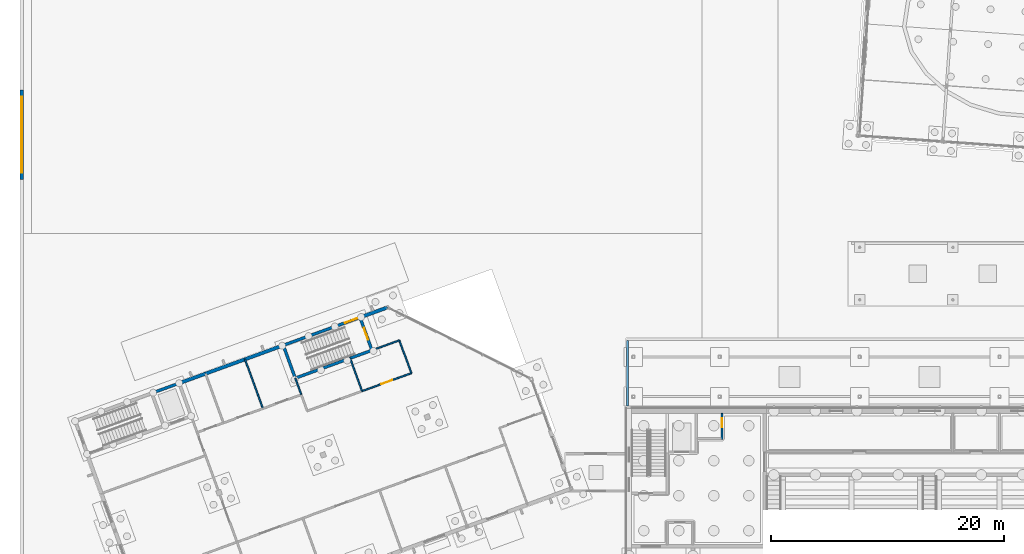
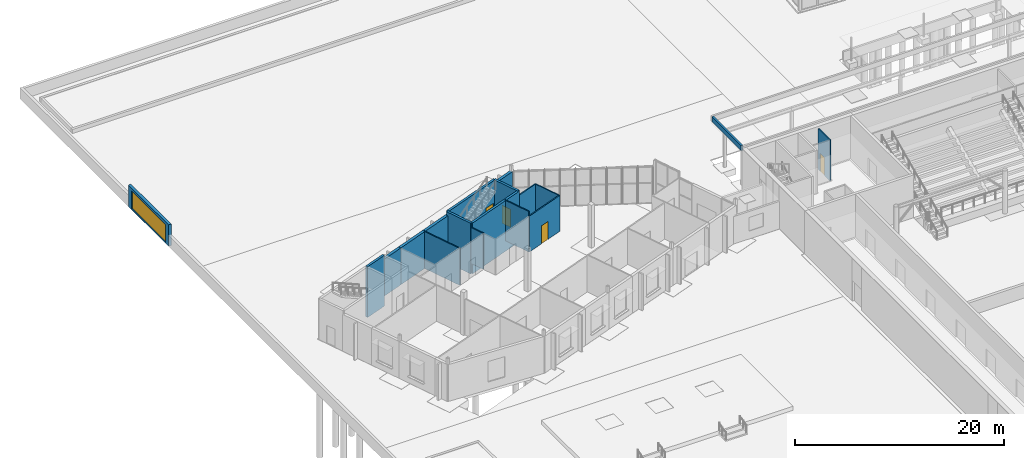
# One storey, part 94 of 157: 18 walls, 5 doors, 5 openings.
"""IFC4 building model written with IfcOpenShell, lengths in metres."""

from ifc_helpers import new_model, si_unit, direction, frame, frame_2d, origin, place, context, subcontext, project, spatial, rectangle, extrude, material, layer, layer_set, type_object, element, fill, save


model = new_model("IFC4")

# Units and contexts
model_context = context("Model", 3, precision=1e-05, world=origin(), true_north=direction((0.0, 1.0)))
body_context = subcontext(model_context, "Body", "Model", "MODEL_VIEW")
ifc_project = project(units=[si_unit("LENGTHUNIT", "METRE"), si_unit("AREAUNIT", "SQUARE_METRE"), si_unit("VOLUMEUNIT", "CUBIC_METRE"), si_unit("PLANEANGLEUNIT", "RADIAN"), si_unit("MASSUNIT", "GRAM", prefix="KILO")], contexts=[model_context])

# Site, building, storey
site_placement = place(None, origin())
site = spatial("IfcSite", under=ifc_project, at=site_placement, CompositionType="ELEMENT")
building_placement = place(site_placement, origin())
building = spatial("IfcBuilding", under=site, at=building_placement, Name="Windward Yard Aquatics Centre", CompositionType="ELEMENT")
storey_placement = place(building_placement, origin())
storey = spatial("IfcBuildingStorey", under=building, at=storey_placement, Name="L00", CompositionType="ELEMENT", Elevation=0.0)

# Walls
ifc_material_1 = material(Name="Concrete C35/45", Category="concrete")
ifc_layer_1 = layer(ifc_material_1, 0.199951171875)
ifc_layer_set_1 = layer_set([ifc_layer_1], Name="A arcade roof parapet 200")
wall_type_1 = type_object("IfcWallType", Name="A arcade roof parapet 200", PredefinedType="PARAPET", material=ifc_layer_set_1)
wall_1_placement = place(storey_placement, frame((52.10009765625, 96.199951171875, 4.60009765625), z_axis=(0.0, 0.0, 1.0), x_axis=(0.0, 1.0, 0.0)))
element("IfcWall", 1, at=wall_1_placement, inside=storey, type_object=wall_type_1, Name="A.W.PA.W", PredefinedType="PARAPET", context=body_context, shape_type="SweptSolid", body=[
    extrude(rectangle(XDim=5.60009765625, YDim=0.199951171875, at=frame_2d((2.800048828125, 0.0))), origin(), (0.0, 0.0, 1.0), 0.599853515625),
])
ifc_material_2 = material(Name="Concrete C40/50", Category="concrete")
ifc_layer_2 = layer(ifc_material_2, 0.25)
ifc_layer_set_2 = layer_set([ifc_layer_2], Name="F core wall 250 Concrete C40/50")
wall_type_2 = type_object("IfcWallType", Name="F core wall 250 Concrete C40/50", PredefinedType="SOLIDWALL", material=ifc_layer_set_2)
wall_2_placement = place(storey_placement, frame((23.60595703125, 98.577880859375, -1.199951171875), z_axis=(0.0, 0.0, 1.0), x_axis=(-0.342037080957, 0.939686455819, 0.0)))
element("IfcWall", 2, at=wall_2_placement, inside=storey, type_object=wall_type_2, Name="F.WL.L00.C05", PredefinedType="SOLIDWALL", context=body_context, shape_type="SweptSolid", body=[
    extrude(rectangle(XDim=3.0, YDim=0.25, at=frame_2d((1.5, 0.0))), origin(), (0.0, 0.0, 1.0), 5.919921875),
])
wall_3_placement = place(storey_placement, frame((23.60595703125, 98.577880859375, -1.199951171875), z_axis=(0.0, 0.0, 1.0), x_axis=(0.939693585395, 0.342017493073, 0.0)))
element("IfcWall", 3, at=wall_3_placement, inside=storey, type_object=wall_type_2, Name="F.WL.L00.C06", PredefinedType="SOLIDWALL", context=body_context, shape_type="SweptSolid", body=[
    extrude(rectangle(XDim=6.999755859375, YDim=0.25, at=frame_2d((3.5, 0.0))), origin(), (0.0, 0.0, 1.0), 5.919921875),
])

# Wall, opening, door
wall_4_placement = place(storey_placement, frame((30.18359375, 100.971923828125, -1.199951171875), z_axis=(0.0, 0.0, 1.0), x_axis=(-0.341965219194, 0.939712609717, 0.0)))
wall_4 = element("IfcWall", 4, at=wall_4_placement, inside=storey, type_object=wall_type_2, Name="F.WL.L00.C07", PredefinedType="SOLIDWALL", context=body_context, shape_type="SweptSolid", body=[
    extrude(rectangle(XDim=3.0, YDim=0.25, at=frame_2d((1.5, 0.0))), origin(), (0.0, 0.0, 1.0), 5.919921875),
])
opening_1_placement = place(wall_4_placement, frame((0.949951171875, 0.0, 1.199951171875)))
opening_1 = element("IfcOpeningElement", 5, at=opening_1_placement, cuts=wall_4, Name="Opening F0017", PredefinedType="OPENING", context=body_context, shape_type="SweptSolid", body=[
    extrude(rectangle(XDim=1.10009765625, YDim=2.10009765625, at=frame_2d((0.550048828125, 1.050048828125))), frame((0.0, 0.135009765625, 0.0), z_axis=(0.0, -1.0, 0.0), x_axis=(1.0, 0.0, 0.0)), (0.0, 0.0, 1.0), 0.27001953125),
])
ifc_material_3 = material(Name="Steel, painted", Category="steel")
door_type_1 = type_object("IfcDoorType", Name="F fire door 1100x2100 steel", OperationType="SINGLE_SWING_LEFT", PredefinedType="DOOR", material=ifc_material_3)
door_1_placement = place(opening_1_placement, origin())
door_1 = element("IfcDoor", 6, at=door_1_placement, inside=storey, type_object=door_type_1, Name="Stair S2 door F0017", OperationType="SINGLE_SWING_RIGHT", OverallHeight=2.10009765625, OverallWidth=1.10009765625, PredefinedType="DOOR", context=body_context, shape_type="SweptSolid", body=[
    extrude(rectangle(XDim=1.10009765625, YDim=2.10009765625, at=frame_2d((0.550048828125, 1.050048828125))), frame((0.0, 0.02490234375, 0.0), z_axis=(0.0, -1.0, 0.0), x_axis=(1.0, 0.0, 0.0)), (0.0, 0.0, 1.0), 0.050048828125),
])
fill(opening_1, door_1)

wall_5_placement = place(storey_placement, frame((29.15771484375, 103.791015625, -1.199951171875), z_axis=(0.0, 0.0, 1.0), x_axis=(-0.939697665127, -0.342006283793, 0.0)))
wall_5 = element("IfcWall", 7, at=wall_5_placement, inside=storey, type_object=wall_type_2, Name="F.WL.L00.X01", PredefinedType="SOLIDWALL", context=body_context, shape_type="SweptSolid", body=[
    extrude(rectangle(XDim=7.0, YDim=0.25, at=frame_2d((3.5, 0.0))), origin(), (0.0, 0.0, 1.0), 5.919921875),
])
opening_2_placement = place(wall_5_placement, frame((1.375, 0.0, 1.199951171875), z_axis=(0.0, 0.0, 1.0), x_axis=(-1.0, 0.0, 0.0)))
opening_2 = element("IfcOpeningElement", 8, at=opening_2_placement, cuts=wall_5, Name="Opening F0002", PredefinedType="OPENING", context=body_context, shape_type="SweptSolid", body=[
    extrude(rectangle(XDim=1.10009765625, YDim=2.10009765625, at=frame_2d((0.550048828125, 1.050048828125))), frame((0.0, 0.135009765625, 0.0), z_axis=(0.0, -1.0, 0.0), x_axis=(1.0, 0.0, 0.0)), (0.0, 0.0, 1.0), 0.27001953125),
])
door_2_placement = place(opening_2_placement, origin())
door_2 = element("IfcDoor", 9, at=door_2_placement, inside=storey, type_object=door_type_1, Name="Stair S2 exit door F0002", OperationType="SINGLE_SWING_RIGHT", OverallHeight=2.10009765625, OverallWidth=1.10009765625, PredefinedType="DOOR", context=body_context, shape_type="SweptSolid", body=[
    extrude(rectangle(XDim=1.10009765625, YDim=2.10009765625, at=frame_2d((0.550048828125, 1.050048828125))), frame((0.0, 0.02490234375, 0.0), z_axis=(0.0, -1.0, 0.0), x_axis=(1.0, 0.0, 0.0)), (0.0, 0.0, 1.0), 0.050048828125),
])
fill(opening_2, door_2)

# Walls
wall_6_placement = place(storey_placement, frame((13.652587890625, 98.147705078125, -1.199951171875), z_axis=(0.0, 0.0, 1.0), x_axis=(-0.939696437289, -0.342009657388, 0.0)))
element("IfcWall", 10, at=wall_6_placement, inside=storey, type_object=wall_type_2, Name="F.WL.L00.X02", PredefinedType="SOLIDWALL", context=body_context, shape_type="SweptSolid", body=[
    extrude(rectangle(XDim=2.499755859375, YDim=0.25, at=frame_2d((1.25, 0.0))), origin(), (0.0, 0.0, 1.0), 5.919921875),
])
ifc_material_4 = material(Name="Gypsum board on steel studs", Category="steel")
ifc_layer_3 = layer(ifc_material_4, 0.125)
ifc_layer_set_3 = layer_set([ifc_layer_3], Name="F partition 125 gypsum board")
wall_type_3 = type_object("IfcWallType", Name="F partition 125 gypsum board", PredefinedType="PARTITIONING", material=ifc_layer_set_3)
wall_7_placement = place(storey_placement, frame((20.830078125, 95.97119140625, 0.0), z_axis=(0.0, 0.0, 1.0), x_axis=(-0.34200440972, 0.939698347201, 0.0)))
element("IfcWall", 11, at=wall_7_placement, inside=storey, type_object=wall_type_3, Name="F.WL.L00.P014", PredefinedType="PARTITIONING", context=body_context, shape_type="SweptSolid", body=[
    extrude(rectangle(XDim=4.500244140625, YDim=0.125, at=frame_2d((2.25, 0.0))), origin(), (0.0, 0.0, 1.0), 4.302978515625),
])
wall_8_placement = place(storey_placement, frame((24.118896484375, 97.168212890625, 0.0), z_axis=(0.0, 0.0, 1.0), x_axis=(-0.341939069183, 0.9397221254, 0.0)))
element("IfcWall", 12, at=wall_8_placement, inside=storey, type_object=wall_type_3, Name="F.WL.L00.P018", PredefinedType="PARTITIONING", context=body_context, shape_type="SweptSolid", body=[
    extrude(rectangle(XDim=1.5, YDim=0.125, at=frame_2d((0.75, 0.0))), origin(), (0.0, 0.0, 1.0), 4.18701171875),
])
wall_9_placement = place(storey_placement, frame((29.330322265625, 97.468994140625, 0.0), z_axis=(0.0, 0.0, 1.0), x_axis=(-0.342063238742, 0.939676934218, 0.0)))
element("IfcWall", 13, at=wall_9_placement, inside=storey, type_object=wall_type_3, Name="F.WL.L00.P021", PredefinedType="PARTITIONING", context=body_context, shape_type="SweptSolid", body=[
    extrude(rectangle(XDim=2.999755859375, YDim=0.125, at=frame_2d((1.5, 0.0))), origin(), (0.0, 0.0, 1.0), 4.719970703125),
])

# Wall, opening, door
wall_10_placement = place(storey_placement, frame((29.330322265625, 97.468994140625, 0.0), z_axis=(0.0, 0.0, 1.0), x_axis=(0.939698347201, 0.34200440972, 0.0)))
wall_10 = element("IfcWall", 14, at=wall_10_placement, inside=storey, type_object=wall_type_3, Name="F.WL.L00.P022", PredefinedType="PARTITIONING", context=body_context, shape_type="SweptSolid", body=[
    extrude(rectangle(XDim=4.500244140625, YDim=0.125, at=frame_2d((2.25, 0.0))), origin(), (0.0, 0.0, 1.0), 4.18701171875),
])
opening_3_placement = place(wall_10_placement, frame((1.75, 0.0, 0.0)))
opening_3 = element("IfcOpeningElement", 15, at=opening_3_placement, cuts=wall_10, Name="Opening F0019", PredefinedType="OPENING", context=body_context, shape_type="SweptSolid", body=[
    extrude(rectangle(XDim=1.0, YDim=2.10009765625, at=frame_2d((0.5, 1.050048828125))), frame((0.0, 0.072509765625, 0.0), z_axis=(0.0, -1.0, 0.0), x_axis=(1.0, 0.0, 0.0)), (0.0, 0.0, 1.0), 0.14501953125),
])
ifc_material_5 = material(Name="Timber, painted", Category="wood")
door_type_2 = type_object("IfcDoorType", Name="F door 1000x2100 timber", OperationType="SINGLE_SWING_LEFT", PredefinedType="DOOR", material=ifc_material_5)
door_3_placement = place(opening_3_placement, origin())
door_3 = element("IfcDoor", 16, at=door_3_placement, inside=storey, type_object=door_type_2, Name="Visitor Information door F0019", OperationType="SINGLE_SWING_RIGHT", OverallHeight=2.10009765625, OverallWidth=1.0, PredefinedType="DOOR", context=body_context, shape_type="SweptSolid", body=[
    extrude(rectangle(XDim=1.0, YDim=2.10009765625, at=frame_2d((0.5, 1.050048828125))), frame((0.0, 0.02490234375, 0.0), z_axis=(0.0, -1.0, 0.0), x_axis=(1.0, 0.0, 0.0)), (0.0, 0.0, 1.0), 0.050048828125),
])
fill(opening_3, door_3)

# Walls
wall_11_placement = place(storey_placement, frame((30.18359375, 100.971923828125, 0.0), z_axis=(0.0, 0.0, 1.0), x_axis=(0.939707859211, 0.341978273195, 0.0)))
element("IfcWall", 17, at=wall_11_placement, inside=storey, type_object=wall_type_3, Name="F.WL.L00.P023", PredefinedType="PARTITIONING", context=body_context, shape_type="SweptSolid", body=[
    extrude(rectangle(XDim=2.5, YDim=0.125, at=frame_2d((1.25, 0.0))), origin(), (0.0, 0.0, 1.0), 4.18701171875),
])
wall_12_placement = place(storey_placement, frame((33.55908203125, 99.008056640625, 0.0), z_axis=(0.0, 0.0, 1.0), x_axis=(-0.342063238742, 0.939676934218, 0.0)))
element("IfcWall", 18, at=wall_12_placement, inside=storey, type_object=wall_type_3, Name="F.WL.L00.P024", PredefinedType="PARTITIONING", context=body_context, shape_type="SweptSolid", body=[
    extrude(rectangle(XDim=2.999755859375, YDim=0.125, at=frame_2d((1.5, 0.0))), origin(), (0.0, 0.0, 1.0), 4.18701171875),
])
ifc_material_6 = material(Name="Natural stone cladding", Category="masonry")
ifc_layer_4 = layer(ifc_material_6, 0.04, Name="Cladding")
ifc_material_7 = material(Name="Ventilated air cavity")
ifc_layer_5 = layer(ifc_material_7, 0.04, ventilated=True, Name="Ventilated cavity")
ifc_material_8 = material(Name="Mineral wool insulation")
ifc_layer_6 = layer(ifc_material_8, 0.06, Name="Insulation")
ifc_layer_7 = layer(ifc_material_2, 0.16, Name="Structure")
ifc_layer_set_4 = layer_set([ifc_layer_4, ifc_layer_5, ifc_layer_6, ifc_layer_7], Name="F stone-faced infill wall 300 Concrete C40/50")
wall_type_4 = type_object("IfcWallType", Name="F stone-faced infill wall 300 Concrete C40/50", PredefinedType="ELEMENTEDWALL", material=ifc_layer_set_4)
wall_13_placement = place(storey_placement, frame((31.5068359375, 104.64599609375, 0.0), z_axis=(0.0, 0.0, 1.0), x_axis=(-0.939696437289, -0.342009657388, 0.0)))
element("IfcWall", 19, at=wall_13_placement, inside=storey, type_object=wall_type_4, Name="F.WL.L00.E08", PredefinedType="ELEMENTEDWALL", context=body_context, shape_type="SweptSolid", body=[
    extrude(rectangle(XDim=2.499755859375, YDim=0.300048828125, at=frame_2d((1.25, 0.0))), origin(), (0.0, 0.0, 1.0), 4.302978515625),
])
wall_14_placement = place(storey_placement, frame((22.579833984375, 101.39697265625, 0.0), z_axis=(0.0, 0.0, 1.0), x_axis=(-0.939693585395, -0.342017493073, 0.0)))
element("IfcWall", 20, at=wall_14_placement, inside=storey, type_object=wall_type_4, Name="F.WL.L00.E09", PredefinedType="ELEMENTEDWALL", context=body_context, shape_type="SweptSolid", body=[
    extrude(rectangle(XDim=3.5, YDim=0.300048828125, at=frame_2d((1.75, 0.0))), origin(), (0.0, 0.0, 1.0), 4.302978515625),
])
wall_15_placement = place(storey_placement, frame((19.291015625, 100.199951171875, 0.0), z_axis=(0.0, 0.0, 1.0), x_axis=(-0.93968249756, -0.342047955379, 0.0)))
element("IfcWall", 21, at=wall_15_placement, inside=storey, type_object=wall_type_4, Name="F.WL.L00.E10", PredefinedType="ELEMENTEDWALL", context=body_context, shape_type="SweptSolid", body=[
    extrude(rectangle(XDim=3.60009765625, YDim=0.300048828125, at=frame_2d((1.800048828125, 0.0))), origin(), (0.0, 0.0, 1.0), 4.302978515625),
])
wall_16_placement = place(storey_placement, frame((15.907958984375, 98.968505859375, 0.0), z_axis=(0.0, 0.0, 1.0), x_axis=(-0.939704292321, -0.341988074343, 0.0)))
element("IfcWall", 22, at=wall_16_placement, inside=storey, type_object=wall_type_4, Name="F.WL.L00.E11", PredefinedType="ELEMENTEDWALL", context=body_context, shape_type="SweptSolid", body=[
    extrude(rectangle(XDim=2.400146484375, YDim=0.300048828125, at=frame_2d((1.2001953125, 0.0))), origin(), (0.0, 0.0, 1.0), 4.302978515625),
])

# Wall, opening, door
ifc_material_9 = material(Name="Blockwork 150 mm", Category="masonry")
ifc_layer_8 = layer(ifc_material_9, 0.14990234375)
ifc_layer_set_5 = layer_set([ifc_layer_8], Name="H Partition Blockwork 150")
wall_type_5 = type_object("IfcWallType", Name="H Partition Blockwork 150", PredefinedType="PARTITIONING", material=ifc_layer_set_5)
wall_17_placement = place(storey_placement, frame((60.199951171875, 95.550048828125, 0.0), z_axis=(0.0, 0.0, 1.0), x_axis=(0.0, -1.0, 0.0)))
wall_17 = element("IfcWall", 23, at=wall_17_placement, inside=storey, type_object=wall_type_5, Name="L00 R1E riser wall NW", PredefinedType="PARTITIONING", context=body_context, shape_type="SweptSolid", body=[
    extrude(rectangle(XDim=2.22509765625, YDim=0.14990234375, at=frame_2d((1.112548828125, 0.0))), origin(), (0.0, 0.0, 1.0), 4.75),
])
opening_4_placement = place(wall_17_placement, frame((0.39990234375, 0.0, 0.0)))
opening_4 = element("IfcOpeningElement", 24, at=opening_4_placement, cuts=wall_17, Name="Opening H0017", PredefinedType="OPENING", context=body_context, shape_type="SweptSolid", body=[
    extrude(rectangle(XDim=0.800048828125, YDim=2.10009765625, at=frame_2d((0.39990234375, 1.050048828125))), frame((0.0, 0.0849609375, 0.0), z_axis=(0.0, -1.0, 0.0), x_axis=(1.0, 0.0, 0.0)), (0.0, 0.0, 1.0), 0.169921875),
])
ifc_material_10 = material(Name="Steel and timber door leaf", Category="steel")
door_type_3 = type_object("IfcDoorType", Name="H Door Riser 800 x 2100 FD60", OperationType="NOTDEFINED", PredefinedType="DOOR", material=ifc_material_10)
door_4_placement = place(opening_4_placement, origin())
door_4 = element("IfcDoor", 25, at=door_4_placement, inside=storey, type_object=door_type_3, Name="L00 electrical riser NW door", OperationType="SINGLE_SWING_LEFT", OverallHeight=2.10009765625, OverallWidth=0.800048828125, PredefinedType="DOOR", context=body_context, shape_type="SweptSolid", body=[
    extrude(rectangle(XDim=0.800048828125, YDim=2.10009765625, at=frame_2d((0.39990234375, 1.050048828125))), frame((0.0, 0.02490234375, 0.0), z_axis=(0.0, -1.0, 0.0), x_axis=(1.0, 0.0, 0.0)), (0.0, 0.0, 1.0), 0.050048828125),
])
fill(opening_4, door_4)

ifc_material_11 = material(Name="Concrete C30/37", Category="concrete")
ifc_layer_9 = layer(ifc_material_11, 0.300048828125)
ifc_layer_set_6 = layer_set([ifc_layer_9], Name="X Gate Wall Concrete C30/37 300 x 2400")
wall_type_6 = type_object("IfcWallType", Name="X Gate Wall Concrete C30/37 300 x 2400", PredefinedType="SOLIDWALL", material=ifc_layer_set_6)
wall_18_placement = place(storey_placement, frame((0.14990234375, 115.60009765625, -0.10009765625), z_axis=(0.0, 0.0, 1.0), x_axis=(0.0, 1.0, 0.0)))
wall_18 = element("IfcWall", 26, at=wall_18_placement, inside=storey, type_object=wall_type_6, Name="Gate wall W3", PredefinedType="SOLIDWALL", context=body_context, shape_type="SweptSolid", body=[
    extrude(rectangle(XDim=7.699951171875, YDim=0.300048828125, at=frame_2d((3.85009765625, 0.0))), origin(), (0.0, 0.0, 1.0), 2.5),
])
opening_5_placement = place(wall_18_placement, frame((0.60009765625, 0.0, 0.10009765625)))
opening_5 = element("IfcOpeningElement", 27, at=opening_5_placement, cuts=wall_18, Name="Opening X0008", PredefinedType="OPENING", context=body_context, shape_type="SweptSolid", body=[
    extrude(rectangle(XDim=6.5, YDim=2.10009765625, at=frame_2d((3.25, 1.050048828125))), frame((0.0, 0.16015625, 0.0), z_axis=(0.0, -1.0, 0.0), x_axis=(1.0, 0.0, 0.0)), (0.0, 0.0, 1.0), 0.320068359375),
])
ifc_material_12 = material(Name="Galvanised steel gate leaf", Category="steel")
door_type_4 = type_object("IfcDoorType", Name="X Vehicle Gate Sliding 6500 x 2100", OperationType="SLIDING_TO_LEFT", PredefinedType="DOOR", material=ifc_material_12)
door_5_placement = place(opening_5_placement, origin())
door_5 = element("IfcDoor", 28, at=door_5_placement, inside=storey, type_object=door_type_4, Name="Vehicle gate C", OperationType="SLIDING_TO_LEFT", OverallHeight=2.10009765625, OverallWidth=6.5, PredefinedType="DOOR", context=body_context, shape_type="SweptSolid", body=[
    extrude(rectangle(XDim=6.5, YDim=2.10009765625, at=frame_2d((3.25, 1.050048828125))), frame((0.0, 0.02490234375, 0.0), z_axis=(0.0, -1.0, 0.0), x_axis=(1.0, 0.0, 0.0)), (0.0, 0.0, 1.0), 0.050048828125),
])
fill(opening_5, door_5)

save(model, "model.ifc")
